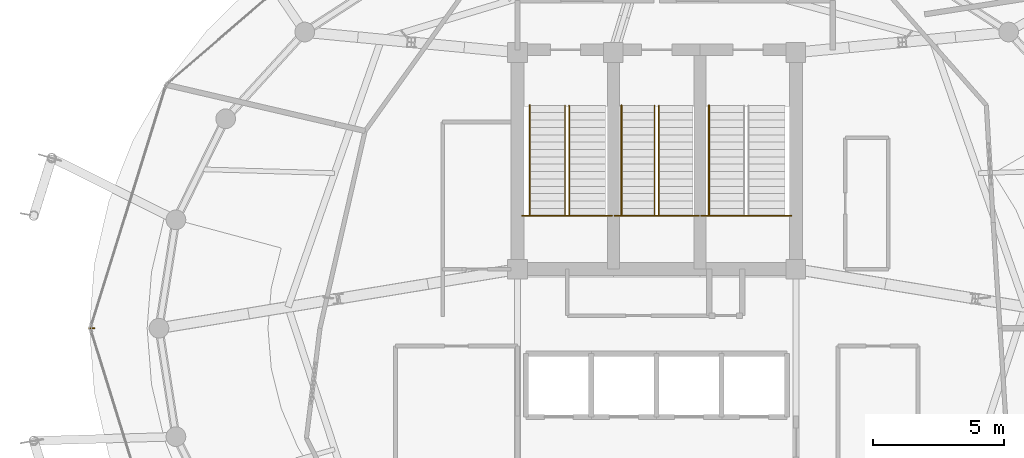
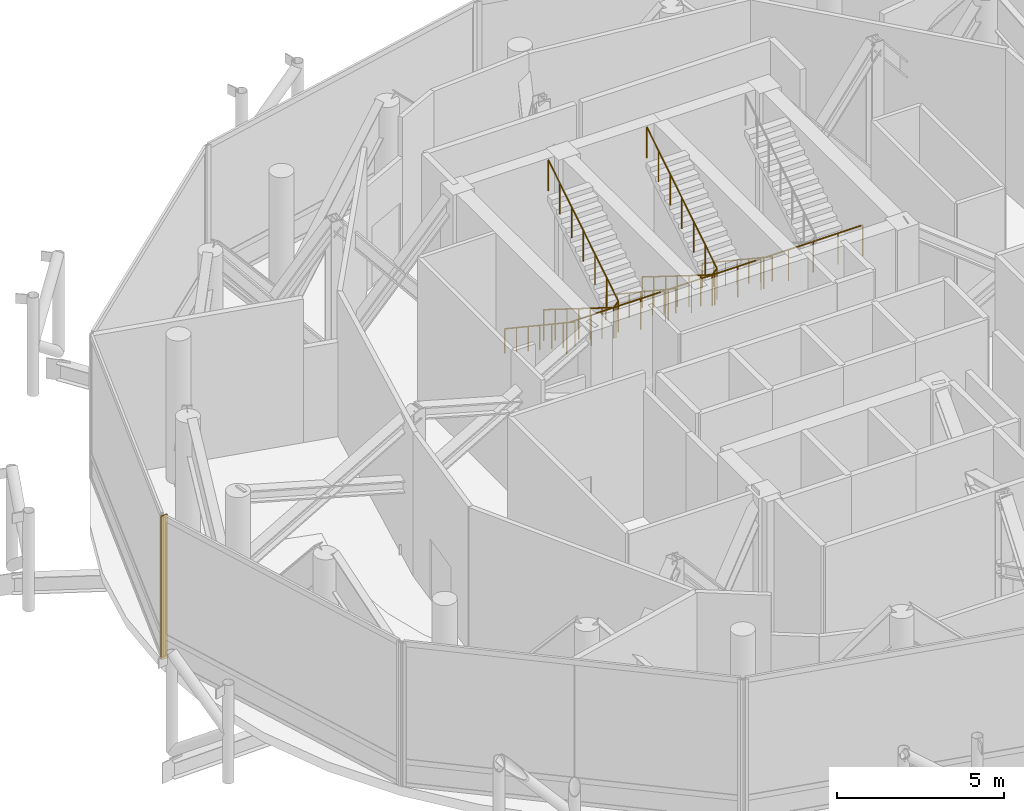
# One storey, part 25 of 26: 8 railings, 1 shading device.
"""IFC4 building model written with IfcOpenShell, lengths in metres."""

from ifc_helpers import new_model, si_unit, direction, frame, origin, origin_2d, place, context, subcontext, project, spatial, polyline, rectangle, outline, extrude, material, layer, layer_set, type_object, element, save


model = new_model("IFC4")

# Units and contexts
model_context = context("Model", 3, precision=1e-05, world=origin(), true_north=direction((0.0, 1.0)))
body_context = subcontext(model_context, "Body", "Model", "MODEL_VIEW")
ifc_project = project(units=[si_unit("LENGTHUNIT", "METRE"), si_unit("AREAUNIT", "SQUARE_METRE"), si_unit("VOLUMEUNIT", "CUBIC_METRE"), si_unit("PLANEANGLEUNIT", "RADIAN"), si_unit("MASSUNIT", "GRAM", prefix="KILO")], contexts=[model_context])

# Site, building, storey
site_placement = place(None, origin())
site = spatial("IfcSite", under=ifc_project, at=site_placement, CompositionType="ELEMENT")
building_placement = place(site_placement, origin())
building = spatial("IfcBuilding", under=site, at=building_placement, Name="Nuhasar Tower", CompositionType="ELEMENT")
storey_placement = place(building_placement, frame((0.0, 0.0, 301.199951171875)))
storey = spatial("IfcBuildingStorey", under=building, at=storey_placement, Name="L75", CompositionType="ELEMENT", Elevation=301.199951171875)

# Railings
ifc_material_1 = material(Name="Steel S355", Category="steel")
railing_type_1 = type_object("IfcRailingType", Name="RLG-STAIR-GUARD-1150", PredefinedType="GUARDRAIL", material=ifc_material_1)
railing_1_placement = place(storey_placement, frame((33.8798828125, 31.0849609375, 2.800048828125)))
element("IfcRailing", 1, at=railing_1_placement, inside=storey, type_object=railing_type_1, Name="L75 Stair ST-01 Guardrail LND", PredefinedType="GUARDRAIL", context=body_context, shape_type="SweptSolid", body=[
    extrude(outline(polyline([(0.024169921875, 0.0), (0.01708984375, 0.01708984375), (0.0, 0.024169921875), (-0.01708984375, 0.01708984375), (-0.024169921875, 0.0), (-0.01708984375, -0.01708984375), (0.0, -0.024169921875), (0.01708984375, -0.01708984375), (0.024169921875, 0.0)])), frame((0.0, 0.0, 1.1259765625), z_axis=(1.0, 0.0, 0.0), x_axis=(0.0, 1.0, 0.0)), (0.0, 0.0, 1.0), 3.420166015625),
    extrude(outline(polyline([(0.02099609375, 0.0), (0.014892578125, 0.014892578125), (0.0, 0.02099609375), (-0.014892578125, 0.014892578125), (-0.02099609375, 0.0), (-0.014892578125, -0.014892578125), (0.0, -0.02099609375), (0.014892578125, -0.014892578125), (0.02099609375, 0.0)])), origin(), (0.0, 0.0, 1.0), 1.101806640625),
    extrude(outline(polyline([(0.02099609375, 0.0), (0.014892578125, 0.014892578125), (0.0, 0.02099609375), (-0.014892578125, 0.014892578125), (-0.02099609375, 0.0), (-0.014892578125, -0.014892578125), (0.0, -0.02099609375), (0.014892578125, -0.014892578125), (0.02099609375, 0.0)])), frame((0.85498046875, 0.0, 0.0)), (0.0, 0.0, 1.0), 1.101806640625),
    extrude(outline(polyline([(0.02099609375, 0.0), (0.014892578125, 0.014892578125), (0.0, 0.02099609375), (-0.014892578125, 0.014892578125), (-0.02099609375, 0.0), (-0.014892578125, -0.014892578125), (0.0, -0.02099609375), (0.014892578125, -0.014892578125), (0.02099609375, 0.0)])), frame((1.7099609375, 0.0, 0.0)), (0.0, 0.0, 1.0), 1.101806640625),
    extrude(outline(polyline([(0.02099609375, 0.0), (0.014892578125, 0.014892578125), (0.0, 0.02099609375), (-0.014892578125, 0.014892578125), (-0.02099609375, 0.0), (-0.014892578125, -0.014892578125), (0.0, -0.02099609375), (0.014892578125, -0.014892578125), (0.02099609375, 0.0)])), frame((2.565185546875, 0.0, 0.0)), (0.0, 0.0, 1.0), 1.101806640625),
    extrude(outline(polyline([(0.02099609375, 0.0), (0.014892578125, 0.014892578125), (0.0, 0.02099609375), (-0.014892578125, 0.014892578125), (-0.02099609375, 0.0), (-0.014892578125, -0.014892578125), (0.0, -0.02099609375), (0.014892578125, -0.014892578125), (0.02099609375, 0.0)])), frame((3.420166015625, 0.0, 0.0)), (0.0, 0.0, 1.0), 1.101806640625),
])
railing_2_placement = place(storey_placement, frame((35.510009765625, 35.284912109375, 0.175048828125)))
element("IfcRailing", 2, at=railing_2_placement, inside=storey, type_object=railing_type_1, Name="L75 Stair ST-01 Guardrail SLT", PredefinedType="GUARDRAIL", context=body_context, shape_type="SweptSolid", body=[
    extrude(outline(polyline([(0.024169921875, 0.0), (0.01708984375, 0.01708984375), (0.0, 0.024169921875), (-0.01708984375, 0.01708984375), (-0.024169921875, 0.0), (-0.01708984375, -0.01708984375), (0.0, -0.024169921875), (0.01708984375, -0.01708984375), (0.024169921875, 0.0)])), frame((0.0, 0.0, 1.1259765625), z_axis=(0.0, -0.847995534698, 0.530003370869), x_axis=(1.0, 0.0, 0.0)), (0.0, 0.0, 1.0), 4.952880859375),
    extrude(outline(polyline([(0.024169921875, 0.0), (0.01708984375, 0.01708984375), (0.0, 0.024169921875), (-0.01708984375, 0.01708984375), (-0.024169921875, 0.0), (-0.01708984375, -0.01708984375), (0.0, -0.024169921875), (0.01708984375, -0.01708984375), (0.024169921875, 0.0)])), frame((0.0, -4.199951171875, 3.7509765625), z_axis=(0.674464668206, 0.0, 0.738307125349), x_axis=(0.0, 1.0, 0.0)), (0.0, 0.0, 1.0), 0.237060546875),
    extrude(outline(polyline([(0.024169921875, 0.0), (0.01708984375, 0.01708984375), (0.0, 0.024169921875), (-0.01708984375, 0.01708984375), (-0.024169921875, 0.0), (-0.01708984375, -0.01708984375), (0.0, -0.024169921875), (0.01708984375, -0.01708984375), (0.024169921875, 0.0)])), frame((0.159912109375, -4.199951171875, 3.92578125), z_axis=(0.0, 0.847995534698, 0.530003370869), x_axis=(-1.0, 0.0, 0.0)), (0.0, 0.0, 1.0), 4.952880859375),
    extrude(outline(polyline([(0.02099609375, 0.0), (0.014892578125, 0.014892578125), (0.0, 0.02099609375), (-0.014892578125, 0.014892578125), (-0.02099609375, 0.0), (-0.014892578125, -0.014892578125), (0.0, -0.02099609375), (0.014892578125, -0.014892578125), (0.02099609375, 0.0)])), origin(), (0.0, 0.0, 1.0), 1.101806640625),
    extrude(outline(polyline([(0.02099609375, 0.0), (0.014892578125, 0.014892578125), (0.0, 0.02099609375), (-0.014892578125, 0.014892578125), (-0.02099609375, 0.0), (-0.014892578125, -0.014892578125), (0.0, -0.02099609375), (0.014892578125, -0.014892578125), (0.02099609375, 0.0)])), frame((0.0, -0.699951171875, 0.4375)), (0.0, 0.0, 1.0), 1.101806640625),
    extrude(outline(polyline([(0.02099609375, 0.0), (0.014892578125, 0.014892578125), (0.0, 0.02099609375), (-0.014892578125, 0.014892578125), (-0.02099609375, 0.0), (-0.014892578125, -0.014892578125), (0.0, -0.02099609375), (0.014892578125, -0.014892578125), (0.02099609375, 0.0)])), frame((0.0, -1.39990234375, 0.875)), (0.0, 0.0, 1.0), 1.101806640625),
    extrude(outline(polyline([(0.02099609375, 0.0), (0.014892578125, 0.014892578125), (0.0, 0.02099609375), (-0.014892578125, 0.014892578125), (-0.02099609375, 0.0), (-0.014892578125, -0.014892578125), (0.0, -0.02099609375), (0.014892578125, -0.014892578125), (0.02099609375, 0.0)])), frame((0.0, -2.10009765625, 1.3125)), (0.0, 0.0, 1.0), 1.101806640625),
    extrude(outline(polyline([(0.02099609375, 0.0), (0.014892578125, 0.014892578125), (0.0, 0.02099609375), (-0.014892578125, 0.014892578125), (-0.02099609375, 0.0), (-0.014892578125, -0.014892578125), (0.0, -0.02099609375), (0.014892578125, -0.014892578125), (0.02099609375, 0.0)])), frame((0.0, -2.800048828125, 1.75)), (0.0, 0.0, 1.0), 1.101806640625),
    extrude(outline(polyline([(0.02099609375, 0.0), (0.014892578125, 0.014892578125), (0.0, 0.02099609375), (-0.014892578125, 0.014892578125), (-0.02099609375, 0.0), (-0.014892578125, -0.014892578125), (0.0, -0.02099609375), (0.014892578125, -0.014892578125), (0.02099609375, 0.0)])), frame((0.0, -3.5, 2.1875)), (0.0, 0.0, 1.0), 1.101806640625),
    extrude(outline(polyline([(0.02099609375, 0.0), (0.014892578125, 0.014892578125), (0.0, 0.02099609375), (-0.014892578125, 0.014892578125), (-0.02099609375, 0.0), (-0.014892578125, -0.014892578125), (0.0, -0.02099609375), (0.014892578125, -0.014892578125), (0.02099609375, 0.0)])), frame((0.0, -4.199951171875, 2.625)), (0.0, 0.0, 1.0), 1.101806640625),
    extrude(outline(polyline([(0.02099609375, 0.0), (0.014892578125, 0.014892578125), (0.0, 0.02099609375), (-0.014892578125, 0.014892578125), (-0.02099609375, 0.0), (-0.014892578125, -0.014892578125), (0.0, -0.02099609375), (0.014892578125, -0.014892578125), (0.02099609375, 0.0)])), frame((0.159912109375, -4.199951171875, 2.800048828125)), (0.0, 0.0, 1.0), 1.101806640625),
    extrude(outline(polyline([(0.02099609375, 0.0), (0.014892578125, 0.014892578125), (0.0, 0.02099609375), (-0.014892578125, 0.014892578125), (-0.02099609375, 0.0), (-0.014892578125, -0.014892578125), (0.0, -0.02099609375), (0.014892578125, -0.014892578125), (0.02099609375, 0.0)])), frame((0.159912109375, -3.5, 3.237548828125)), (0.0, 0.0, 1.0), 1.101806640625),
    extrude(outline(polyline([(0.02099609375, 0.0), (0.014892578125, 0.014892578125), (0.0, 0.02099609375), (-0.014892578125, 0.014892578125), (-0.02099609375, 0.0), (-0.014892578125, -0.014892578125), (0.0, -0.02099609375), (0.014892578125, -0.014892578125), (0.02099609375, 0.0)])), frame((0.159912109375, -2.800048828125, 3.675048828125)), (0.0, 0.0, 1.0), 1.101806640625),
    extrude(outline(polyline([(0.02099609375, 0.0), (0.014892578125, 0.014892578125), (0.0, 0.02099609375), (-0.014892578125, 0.014892578125), (-0.02099609375, 0.0), (-0.014892578125, -0.014892578125), (0.0, -0.02099609375), (0.014892578125, -0.014892578125), (0.02099609375, 0.0)])), frame((0.159912109375, -2.10009765625, 4.112548828125)), (0.0, 0.0, 1.0), 1.101806640625),
    extrude(outline(polyline([(0.02099609375, 0.0), (0.014892578125, 0.014892578125), (0.0, 0.02099609375), (-0.014892578125, 0.014892578125), (-0.02099609375, 0.0), (-0.014892578125, -0.014892578125), (0.0, -0.02099609375), (0.014892578125, -0.014892578125), (0.02099609375, 0.0)])), frame((0.159912109375, -1.39990234375, 4.550048828125)), (0.0, 0.0, 1.0), 1.101806640625),
    extrude(outline(polyline([(0.02099609375, 0.0), (0.014892578125, 0.014892578125), (0.0, 0.02099609375), (-0.014892578125, 0.014892578125), (-0.02099609375, 0.0), (-0.014892578125, -0.014892578125), (0.0, -0.02099609375), (0.014892578125, -0.014892578125), (0.02099609375, 0.0)])), frame((0.159912109375, -0.699951171875, 4.987548828125)), (0.0, 0.0, 1.0), 1.101806640625),
    extrude(outline(polyline([(0.02099609375, 0.0), (0.014892578125, 0.014892578125), (0.0, 0.02099609375), (-0.014892578125, 0.014892578125), (-0.02099609375, 0.0), (-0.014892578125, -0.014892578125), (0.0, -0.02099609375), (0.014892578125, -0.014892578125), (0.02099609375, 0.0)])), frame((0.159912109375, 0.0, 5.425048828125)), (0.0, 0.0, 1.0), 1.101806640625),
])
railing_3_placement = place(storey_placement, frame((37.39990234375, 31.0849609375, 2.800048828125)))
element("IfcRailing", 3, at=railing_3_placement, inside=storey, type_object=railing_type_1, Name="L75 Stair ST-03 Guardrail LND", PredefinedType="GUARDRAIL", context=body_context, shape_type="SweptSolid", body=[
    extrude(outline(polyline([(0.024169921875, 0.0), (0.01708984375, 0.01708984375), (0.0, 0.024169921875), (-0.01708984375, 0.01708984375), (-0.024169921875, 0.0), (-0.01708984375, -0.01708984375), (0.0, -0.024169921875), (0.01708984375, -0.01708984375), (0.024169921875, 0.0)])), frame((0.0, 0.0, 1.1259765625), z_axis=(1.0, 0.0, 0.0), x_axis=(0.0, 1.0, 0.0)), (0.0, 0.0, 1.0), 3.2001953125),
    extrude(outline(polyline([(0.02099609375, 0.0), (0.014892578125, 0.014892578125), (0.0, 0.02099609375), (-0.014892578125, 0.014892578125), (-0.02099609375, 0.0), (-0.014892578125, -0.014892578125), (0.0, -0.02099609375), (0.014892578125, -0.014892578125), (0.02099609375, 0.0)])), origin(), (0.0, 0.0, 1.0), 1.101806640625),
    extrude(outline(polyline([(0.02099609375, 0.0), (0.014892578125, 0.014892578125), (0.0, 0.02099609375), (-0.014892578125, 0.014892578125), (-0.02099609375, 0.0), (-0.014892578125, -0.014892578125), (0.0, -0.02099609375), (0.014892578125, -0.014892578125), (0.02099609375, 0.0)])), frame((0.800048828125, 0.0, 0.0)), (0.0, 0.0, 1.0), 1.101806640625),
    extrude(outline(polyline([(0.02099609375, 0.0), (0.014892578125, 0.014892578125), (0.0, 0.02099609375), (-0.014892578125, 0.014892578125), (-0.02099609375, 0.0), (-0.014892578125, -0.014892578125), (0.0, -0.02099609375), (0.014892578125, -0.014892578125), (0.02099609375, 0.0)])), frame((1.60009765625, 0.0, 0.0)), (0.0, 0.0, 1.0), 1.101806640625),
    extrude(outline(polyline([(0.02099609375, 0.0), (0.014892578125, 0.014892578125), (0.0, 0.02099609375), (-0.014892578125, 0.014892578125), (-0.02099609375, 0.0), (-0.014892578125, -0.014892578125), (0.0, -0.02099609375), (0.014892578125, -0.014892578125), (0.02099609375, 0.0)])), frame((2.400146484375, 0.0, 0.0)), (0.0, 0.0, 1.0), 1.101806640625),
    extrude(outline(polyline([(0.02099609375, 0.0), (0.014892578125, 0.014892578125), (0.0, 0.02099609375), (-0.014892578125, 0.014892578125), (-0.02099609375, 0.0), (-0.014892578125, -0.014892578125), (0.0, -0.02099609375), (0.014892578125, -0.014892578125), (0.02099609375, 0.0)])), frame((3.2001953125, 0.0, 0.0)), (0.0, 0.0, 1.0), 1.101806640625),
])
railing_4_placement = place(storey_placement, frame((38.919921875, 35.284912109375, 0.175048828125)))
element("IfcRailing", 4, at=railing_4_placement, inside=storey, type_object=railing_type_1, Name="L75 Stair ST-03 Guardrail SLT", PredefinedType="GUARDRAIL", context=body_context, shape_type="SweptSolid", body=[
    extrude(outline(polyline([(0.024169921875, 0.0), (0.01708984375, 0.01708984375), (0.0, 0.024169921875), (-0.01708984375, 0.01708984375), (-0.024169921875, 0.0), (-0.01708984375, -0.01708984375), (0.0, -0.024169921875), (0.01708984375, -0.01708984375), (0.024169921875, 0.0)])), frame((0.0, 0.0, 1.1259765625), z_axis=(0.0, -0.847995534698, 0.530003370869), x_axis=(1.0, 0.0, 0.0)), (0.0, 0.0, 1.0), 4.952880859375),
    extrude(outline(polyline([(0.024169921875, 0.0), (0.01708984375, 0.01708984375), (0.0, 0.024169921875), (-0.01708984375, 0.01708984375), (-0.024169921875, 0.0), (-0.01708984375, -0.01708984375), (0.0, -0.024169921875), (0.01708984375, -0.01708984375), (0.024169921875, 0.0)])), frame((0.0, -4.199951171875, 3.7509765625), z_axis=(0.675025379947, 0.0, 0.737794508266), x_axis=(0.0, 1.0, 0.0)), (0.0, 0.0, 1.0), 0.2373046875),
    extrude(outline(polyline([(0.024169921875, 0.0), (0.01708984375, 0.01708984375), (0.0, 0.024169921875), (-0.01708984375, 0.01708984375), (-0.024169921875, 0.0), (-0.01708984375, -0.01708984375), (0.0, -0.024169921875), (0.01708984375, -0.01708984375), (0.024169921875, 0.0)])), frame((0.16015625, -4.199951171875, 3.92578125), z_axis=(0.0, 0.847995534698, 0.530003370869), x_axis=(-1.0, 0.0, 0.0)), (0.0, 0.0, 1.0), 4.952880859375),
    extrude(outline(polyline([(0.02099609375, 0.0), (0.014892578125, 0.014892578125), (0.0, 0.02099609375), (-0.014892578125, 0.014892578125), (-0.02099609375, 0.0), (-0.014892578125, -0.014892578125), (0.0, -0.02099609375), (0.014892578125, -0.014892578125), (0.02099609375, 0.0)])), origin(), (0.0, 0.0, 1.0), 1.101806640625),
    extrude(outline(polyline([(0.02099609375, 0.0), (0.014892578125, 0.014892578125), (0.0, 0.02099609375), (-0.014892578125, 0.014892578125), (-0.02099609375, 0.0), (-0.014892578125, -0.014892578125), (0.0, -0.02099609375), (0.014892578125, -0.014892578125), (0.02099609375, 0.0)])), frame((0.0, -0.699951171875, 0.4375)), (0.0, 0.0, 1.0), 1.101806640625),
    extrude(outline(polyline([(0.02099609375, 0.0), (0.014892578125, 0.014892578125), (0.0, 0.02099609375), (-0.014892578125, 0.014892578125), (-0.02099609375, 0.0), (-0.014892578125, -0.014892578125), (0.0, -0.02099609375), (0.014892578125, -0.014892578125), (0.02099609375, 0.0)])), frame((0.0, -1.39990234375, 0.875)), (0.0, 0.0, 1.0), 1.101806640625),
    extrude(outline(polyline([(0.02099609375, 0.0), (0.014892578125, 0.014892578125), (0.0, 0.02099609375), (-0.014892578125, 0.014892578125), (-0.02099609375, 0.0), (-0.014892578125, -0.014892578125), (0.0, -0.02099609375), (0.014892578125, -0.014892578125), (0.02099609375, 0.0)])), frame((0.0, -2.10009765625, 1.3125)), (0.0, 0.0, 1.0), 1.101806640625),
    extrude(outline(polyline([(0.02099609375, 0.0), (0.014892578125, 0.014892578125), (0.0, 0.02099609375), (-0.014892578125, 0.014892578125), (-0.02099609375, 0.0), (-0.014892578125, -0.014892578125), (0.0, -0.02099609375), (0.014892578125, -0.014892578125), (0.02099609375, 0.0)])), frame((0.0, -2.800048828125, 1.75)), (0.0, 0.0, 1.0), 1.101806640625),
    extrude(outline(polyline([(0.02099609375, 0.0), (0.014892578125, 0.014892578125), (0.0, 0.02099609375), (-0.014892578125, 0.014892578125), (-0.02099609375, 0.0), (-0.014892578125, -0.014892578125), (0.0, -0.02099609375), (0.014892578125, -0.014892578125), (0.02099609375, 0.0)])), frame((0.0, -3.5, 2.1875)), (0.0, 0.0, 1.0), 1.101806640625),
    extrude(outline(polyline([(0.02099609375, 0.0), (0.014892578125, 0.014892578125), (0.0, 0.02099609375), (-0.014892578125, 0.014892578125), (-0.02099609375, 0.0), (-0.014892578125, -0.014892578125), (0.0, -0.02099609375), (0.014892578125, -0.014892578125), (0.02099609375, 0.0)])), frame((0.0, -4.199951171875, 2.625)), (0.0, 0.0, 1.0), 1.101806640625),
    extrude(outline(polyline([(0.02099609375, 0.0), (0.014892578125, 0.014892578125), (0.0, 0.02099609375), (-0.014892578125, 0.014892578125), (-0.02099609375, 0.0), (-0.014892578125, -0.014892578125), (0.0, -0.02099609375), (0.014892578125, -0.014892578125), (0.02099609375, 0.0)])), frame((0.16015625, -4.199951171875, 2.800048828125)), (0.0, 0.0, 1.0), 1.101806640625),
    extrude(outline(polyline([(0.02099609375, 0.0), (0.014892578125, 0.014892578125), (0.0, 0.02099609375), (-0.014892578125, 0.014892578125), (-0.02099609375, 0.0), (-0.014892578125, -0.014892578125), (0.0, -0.02099609375), (0.014892578125, -0.014892578125), (0.02099609375, 0.0)])), frame((0.16015625, -3.5, 3.237548828125)), (0.0, 0.0, 1.0), 1.101806640625),
    extrude(outline(polyline([(0.02099609375, 0.0), (0.014892578125, 0.014892578125), (0.0, 0.02099609375), (-0.014892578125, 0.014892578125), (-0.02099609375, 0.0), (-0.014892578125, -0.014892578125), (0.0, -0.02099609375), (0.014892578125, -0.014892578125), (0.02099609375, 0.0)])), frame((0.16015625, -2.800048828125, 3.675048828125)), (0.0, 0.0, 1.0), 1.101806640625),
    extrude(outline(polyline([(0.02099609375, 0.0), (0.014892578125, 0.014892578125), (0.0, 0.02099609375), (-0.014892578125, 0.014892578125), (-0.02099609375, 0.0), (-0.014892578125, -0.014892578125), (0.0, -0.02099609375), (0.014892578125, -0.014892578125), (0.02099609375, 0.0)])), frame((0.16015625, -2.10009765625, 4.112548828125)), (0.0, 0.0, 1.0), 1.101806640625),
    extrude(outline(polyline([(0.02099609375, 0.0), (0.014892578125, 0.014892578125), (0.0, 0.02099609375), (-0.014892578125, 0.014892578125), (-0.02099609375, 0.0), (-0.014892578125, -0.014892578125), (0.0, -0.02099609375), (0.014892578125, -0.014892578125), (0.02099609375, 0.0)])), frame((0.16015625, -1.39990234375, 4.550048828125)), (0.0, 0.0, 1.0), 1.101806640625),
    extrude(outline(polyline([(0.02099609375, 0.0), (0.014892578125, 0.014892578125), (0.0, 0.02099609375), (-0.014892578125, 0.014892578125), (-0.02099609375, 0.0), (-0.014892578125, -0.014892578125), (0.0, -0.02099609375), (0.014892578125, -0.014892578125), (0.02099609375, 0.0)])), frame((0.16015625, -0.699951171875, 4.987548828125)), (0.0, 0.0, 1.0), 1.101806640625),
    extrude(outline(polyline([(0.02099609375, 0.0), (0.014892578125, 0.014892578125), (0.0, 0.02099609375), (-0.014892578125, 0.014892578125), (-0.02099609375, 0.0), (-0.014892578125, -0.014892578125), (0.0, -0.02099609375), (0.014892578125, -0.014892578125), (0.02099609375, 0.0)])), frame((0.16015625, 0.0, 5.425048828125)), (0.0, 0.0, 1.0), 1.101806640625),
])
railing_5_placement = place(storey_placement, frame((40.699951171875, 31.0849609375, 2.800048828125)))
element("IfcRailing", 5, at=railing_5_placement, inside=storey, type_object=railing_type_1, Name="L75 Stair ST-02 Guardrail LND", PredefinedType="GUARDRAIL", context=body_context, shape_type="SweptSolid", body=[
    extrude(outline(polyline([(0.024169921875, 0.0), (0.01708984375, 0.01708984375), (0.0, 0.024169921875), (-0.01708984375, 0.01708984375), (-0.024169921875, 0.0), (-0.01708984375, -0.01708984375), (0.0, -0.024169921875), (0.01708984375, -0.01708984375), (0.024169921875, 0.0)])), frame((0.0, 0.0, 1.1259765625), z_axis=(1.0, 0.0, 0.0), x_axis=(0.0, 1.0, 0.0)), (0.0, 0.0, 1.0), 3.420166015625),
    extrude(outline(polyline([(0.02099609375, 0.0), (0.014892578125, 0.014892578125), (0.0, 0.02099609375), (-0.014892578125, 0.014892578125), (-0.02099609375, 0.0), (-0.014892578125, -0.014892578125), (0.0, -0.02099609375), (0.014892578125, -0.014892578125), (0.02099609375, 0.0)])), origin(), (0.0, 0.0, 1.0), 1.101806640625),
    extrude(outline(polyline([(0.02099609375, 0.0), (0.014892578125, 0.014892578125), (0.0, 0.02099609375), (-0.014892578125, 0.014892578125), (-0.02099609375, 0.0), (-0.014892578125, -0.014892578125), (0.0, -0.02099609375), (0.014892578125, -0.014892578125), (0.02099609375, 0.0)])), frame((0.85498046875, 0.0, 0.0)), (0.0, 0.0, 1.0), 1.101806640625),
    extrude(outline(polyline([(0.02099609375, 0.0), (0.014892578125, 0.014892578125), (0.0, 0.02099609375), (-0.014892578125, 0.014892578125), (-0.02099609375, 0.0), (-0.014892578125, -0.014892578125), (0.0, -0.02099609375), (0.014892578125, -0.014892578125), (0.02099609375, 0.0)])), frame((1.7099609375, 0.0, 0.0)), (0.0, 0.0, 1.0), 1.101806640625),
    extrude(outline(polyline([(0.02099609375, 0.0), (0.014892578125, 0.014892578125), (0.0, 0.02099609375), (-0.014892578125, 0.014892578125), (-0.02099609375, 0.0), (-0.014892578125, -0.014892578125), (0.0, -0.02099609375), (0.014892578125, -0.014892578125), (0.02099609375, 0.0)])), frame((2.565185546875, 0.0, 0.0)), (0.0, 0.0, 1.0), 1.101806640625),
    extrude(outline(polyline([(0.02099609375, 0.0), (0.014892578125, 0.014892578125), (0.0, 0.02099609375), (-0.014892578125, 0.014892578125), (-0.02099609375, 0.0), (-0.014892578125, -0.014892578125), (0.0, -0.02099609375), (0.014892578125, -0.014892578125), (0.02099609375, 0.0)])), frame((3.420166015625, 0.0, 0.0)), (0.0, 0.0, 1.0), 1.101806640625),
])
ifc_material_2 = material(Name="Stainless Steel 316L", Category="steel")
railing_type_2 = type_object("IfcRailingType", Name="RLG-STAIR-HAND-920", PredefinedType="HANDRAIL", material=ifc_material_2)
railing_6_placement = place(storey_placement, frame((34.169921875, 35.284912109375, 0.175048828125)))
element("IfcRailing", 6, at=railing_6_placement, inside=storey, type_object=railing_type_2, Name="L75 Stair ST-01 Handrail HND1", PredefinedType="HANDRAIL", context=body_context, shape_type="SweptSolid", body=[
    extrude(outline(polyline([(0.024169921875, 0.0), (0.01708984375, 0.01708984375), (0.0, 0.024169921875), (-0.01708984375, 0.01708984375), (-0.024169921875, 0.0), (-0.01708984375, -0.01708984375), (0.0, -0.024169921875), (0.01708984375, -0.01708984375), (0.024169921875, 0.0)])), frame((0.0, 0.0, 0.89599609375), z_axis=(0.0, -0.832042853317, 0.554711357594), x_axis=(1.0, 0.0, 0.0)), (0.0, 0.0, 1.0), 5.0478515625),
    extrude(outline(polyline([(0.02099609375, 0.0), (0.014892578125, 0.014892578125), (0.0, 0.02099609375), (-0.014892578125, 0.014892578125), (-0.02099609375, 0.0), (-0.014892578125, -0.014892578125), (0.0, -0.02099609375), (0.014892578125, -0.014892578125), (0.02099609375, 0.0)])), origin(), (0.0, 0.0, 1.0), 0.871826171875),
    extrude(outline(polyline([(0.02099609375, 0.0), (0.014892578125, 0.014892578125), (0.0, 0.02099609375), (-0.014892578125, 0.014892578125), (-0.02099609375, 0.0), (-0.014892578125, -0.014892578125), (0.0, -0.02099609375), (0.014892578125, -0.014892578125), (0.02099609375, 0.0)])), frame((0.0, -0.699951171875, 0.466796875)), (0.0, 0.0, 1.0), 0.871826171875),
    extrude(outline(polyline([(0.02099609375, 0.0), (0.014892578125, 0.014892578125), (0.0, 0.02099609375), (-0.014892578125, 0.014892578125), (-0.02099609375, 0.0), (-0.014892578125, -0.014892578125), (0.0, -0.02099609375), (0.014892578125, -0.014892578125), (0.02099609375, 0.0)])), frame((0.0, -1.39990234375, 0.933349609375)), (0.0, 0.0, 1.0), 0.871826171875),
    extrude(outline(polyline([(0.02099609375, 0.0), (0.014892578125, 0.014892578125), (0.0, 0.02099609375), (-0.014892578125, 0.014892578125), (-0.02099609375, 0.0), (-0.014892578125, -0.014892578125), (0.0, -0.02099609375), (0.014892578125, -0.014892578125), (0.02099609375, 0.0)])), frame((0.0, -2.10009765625, 1.39990234375)), (0.0, 0.0, 1.0), 0.871826171875),
    extrude(outline(polyline([(0.02099609375, 0.0), (0.014892578125, 0.014892578125), (0.0, 0.02099609375), (-0.014892578125, 0.014892578125), (-0.02099609375, 0.0), (-0.014892578125, -0.014892578125), (0.0, -0.02099609375), (0.014892578125, -0.014892578125), (0.02099609375, 0.0)])), frame((0.0, -2.800048828125, 1.86669921875)), (0.0, 0.0, 1.0), 0.871826171875),
    extrude(outline(polyline([(0.02099609375, 0.0), (0.014892578125, 0.014892578125), (0.0, 0.02099609375), (-0.014892578125, 0.014892578125), (-0.02099609375, 0.0), (-0.014892578125, -0.014892578125), (0.0, -0.02099609375), (0.014892578125, -0.014892578125), (0.02099609375, 0.0)])), frame((0.0, -3.5, 2.33349609375)), (0.0, 0.0, 1.0), 0.871826171875),
    extrude(outline(polyline([(0.02099609375, 0.0), (0.014892578125, 0.014892578125), (0.0, 0.02099609375), (-0.014892578125, 0.014892578125), (-0.02099609375, 0.0), (-0.014892578125, -0.014892578125), (0.0, -0.02099609375), (0.014892578125, -0.014892578125), (0.02099609375, 0.0)])), frame((0.0, -4.199951171875, 2.800048828125)), (0.0, 0.0, 1.0), 0.871826171875),
])
railing_7_placement = place(storey_placement, frame((37.659912109375, 35.284912109375, 0.175048828125)))
element("IfcRailing", 7, at=railing_7_placement, inside=storey, type_object=railing_type_2, Name="L75 Stair ST-03 Handrail HND1", PredefinedType="HANDRAIL", context=body_context, shape_type="SweptSolid", body=[
    extrude(outline(polyline([(0.024169921875, 0.0), (0.01708984375, 0.01708984375), (0.0, 0.024169921875), (-0.01708984375, 0.01708984375), (-0.024169921875, 0.0), (-0.01708984375, -0.01708984375), (0.0, -0.024169921875), (0.01708984375, -0.01708984375), (0.024169921875, 0.0)])), frame((0.0, 0.0, 0.89599609375), z_axis=(0.0, -0.832042853317, 0.554711357594), x_axis=(1.0, 0.0, 0.0)), (0.0, 0.0, 1.0), 5.0478515625),
    extrude(outline(polyline([(0.02099609375, 0.0), (0.014892578125, 0.014892578125), (0.0, 0.02099609375), (-0.014892578125, 0.014892578125), (-0.02099609375, 0.0), (-0.014892578125, -0.014892578125), (0.0, -0.02099609375), (0.014892578125, -0.014892578125), (0.02099609375, 0.0)])), origin(), (0.0, 0.0, 1.0), 0.871826171875),
    extrude(outline(polyline([(0.02099609375, 0.0), (0.014892578125, 0.014892578125), (0.0, 0.02099609375), (-0.014892578125, 0.014892578125), (-0.02099609375, 0.0), (-0.014892578125, -0.014892578125), (0.0, -0.02099609375), (0.014892578125, -0.014892578125), (0.02099609375, 0.0)])), frame((0.0, -0.699951171875, 0.466796875)), (0.0, 0.0, 1.0), 0.871826171875),
    extrude(outline(polyline([(0.02099609375, 0.0), (0.014892578125, 0.014892578125), (0.0, 0.02099609375), (-0.014892578125, 0.014892578125), (-0.02099609375, 0.0), (-0.014892578125, -0.014892578125), (0.0, -0.02099609375), (0.014892578125, -0.014892578125), (0.02099609375, 0.0)])), frame((0.0, -1.39990234375, 0.933349609375)), (0.0, 0.0, 1.0), 0.871826171875),
    extrude(outline(polyline([(0.02099609375, 0.0), (0.014892578125, 0.014892578125), (0.0, 0.02099609375), (-0.014892578125, 0.014892578125), (-0.02099609375, 0.0), (-0.014892578125, -0.014892578125), (0.0, -0.02099609375), (0.014892578125, -0.014892578125), (0.02099609375, 0.0)])), frame((0.0, -2.10009765625, 1.39990234375)), (0.0, 0.0, 1.0), 0.871826171875),
    extrude(outline(polyline([(0.02099609375, 0.0), (0.014892578125, 0.014892578125), (0.0, 0.02099609375), (-0.014892578125, 0.014892578125), (-0.02099609375, 0.0), (-0.014892578125, -0.014892578125), (0.0, -0.02099609375), (0.014892578125, -0.014892578125), (0.02099609375, 0.0)])), frame((0.0, -2.800048828125, 1.86669921875)), (0.0, 0.0, 1.0), 0.871826171875),
    extrude(outline(polyline([(0.02099609375, 0.0), (0.014892578125, 0.014892578125), (0.0, 0.02099609375), (-0.014892578125, 0.014892578125), (-0.02099609375, 0.0), (-0.014892578125, -0.014892578125), (0.0, -0.02099609375), (0.014892578125, -0.014892578125), (0.02099609375, 0.0)])), frame((0.0, -3.5, 2.33349609375)), (0.0, 0.0, 1.0), 0.871826171875),
    extrude(outline(polyline([(0.02099609375, 0.0), (0.014892578125, 0.014892578125), (0.0, 0.02099609375), (-0.014892578125, 0.014892578125), (-0.02099609375, 0.0), (-0.014892578125, -0.014892578125), (0.0, -0.02099609375), (0.014892578125, -0.014892578125), (0.02099609375, 0.0)])), frame((0.0, -4.199951171875, 2.800048828125)), (0.0, 0.0, 1.0), 0.871826171875),
])
railing_8_placement = place(storey_placement, frame((40.989990234375, 35.284912109375, 0.175048828125)))
element("IfcRailing", 8, at=railing_8_placement, inside=storey, type_object=railing_type_2, Name="L75 Stair ST-02 Handrail HND1", PredefinedType="HANDRAIL", context=body_context, shape_type="SweptSolid", body=[
    extrude(outline(polyline([(0.024169921875, 0.0), (0.01708984375, 0.01708984375), (0.0, 0.024169921875), (-0.01708984375, 0.01708984375), (-0.024169921875, 0.0), (-0.01708984375, -0.01708984375), (0.0, -0.024169921875), (0.01708984375, -0.01708984375), (0.024169921875, 0.0)])), frame((0.0, 0.0, 0.89599609375), z_axis=(0.0, -0.832042853317, 0.554711357594), x_axis=(1.0, 0.0, 0.0)), (0.0, 0.0, 1.0), 5.0478515625),
    extrude(outline(polyline([(0.02099609375, 0.0), (0.014892578125, 0.014892578125), (0.0, 0.02099609375), (-0.014892578125, 0.014892578125), (-0.02099609375, 0.0), (-0.014892578125, -0.014892578125), (0.0, -0.02099609375), (0.014892578125, -0.014892578125), (0.02099609375, 0.0)])), origin(), (0.0, 0.0, 1.0), 0.871826171875),
    extrude(outline(polyline([(0.02099609375, 0.0), (0.014892578125, 0.014892578125), (0.0, 0.02099609375), (-0.014892578125, 0.014892578125), (-0.02099609375, 0.0), (-0.014892578125, -0.014892578125), (0.0, -0.02099609375), (0.014892578125, -0.014892578125), (0.02099609375, 0.0)])), frame((0.0, -0.699951171875, 0.466796875)), (0.0, 0.0, 1.0), 0.871826171875),
    extrude(outline(polyline([(0.02099609375, 0.0), (0.014892578125, 0.014892578125), (0.0, 0.02099609375), (-0.014892578125, 0.014892578125), (-0.02099609375, 0.0), (-0.014892578125, -0.014892578125), (0.0, -0.02099609375), (0.014892578125, -0.014892578125), (0.02099609375, 0.0)])), frame((0.0, -1.39990234375, 0.933349609375)), (0.0, 0.0, 1.0), 0.871826171875),
    extrude(outline(polyline([(0.02099609375, 0.0), (0.014892578125, 0.014892578125), (0.0, 0.02099609375), (-0.014892578125, 0.014892578125), (-0.02099609375, 0.0), (-0.014892578125, -0.014892578125), (0.0, -0.02099609375), (0.014892578125, -0.014892578125), (0.02099609375, 0.0)])), frame((0.0, -2.10009765625, 1.39990234375)), (0.0, 0.0, 1.0), 0.871826171875),
    extrude(outline(polyline([(0.02099609375, 0.0), (0.014892578125, 0.014892578125), (0.0, 0.02099609375), (-0.014892578125, 0.014892578125), (-0.02099609375, 0.0), (-0.014892578125, -0.014892578125), (0.0, -0.02099609375), (0.014892578125, -0.014892578125), (0.02099609375, 0.0)])), frame((0.0, -2.800048828125, 1.86669921875)), (0.0, 0.0, 1.0), 0.871826171875),
    extrude(outline(polyline([(0.02099609375, 0.0), (0.014892578125, 0.014892578125), (0.0, 0.02099609375), (-0.014892578125, 0.014892578125), (-0.02099609375, 0.0), (-0.014892578125, -0.014892578125), (0.0, -0.02099609375), (0.014892578125, -0.014892578125), (0.02099609375, 0.0)])), frame((0.0, -3.5, 2.33349609375)), (0.0, 0.0, 1.0), 0.871826171875),
    extrude(outline(polyline([(0.02099609375, 0.0), (0.014892578125, 0.014892578125), (0.0, 0.02099609375), (-0.014892578125, 0.014892578125), (-0.02099609375, 0.0), (-0.014892578125, -0.014892578125), (0.0, -0.02099609375), (0.014892578125, -0.014892578125), (0.02099609375, 0.0)])), frame((0.0, -4.199951171875, 2.800048828125)), (0.0, 0.0, 1.0), 0.871826171875),
])

# Shading device
ifc_material_3 = material(Name="Aluminium 6063-T6", Category="aluminium")
ifc_layer = layer(ifc_material_3, 0.0400390625)
ifc_layer_set = layer_set([ifc_layer], Name="Aluminium 6063-T6")
shading_device_type = type_object("IfcShadingDeviceType", Name="SHD-LVR-220", PredefinedType="SHUTTER", material=ifc_layer_set)
shading_device_placement = place(storey_placement, frame((17.489990234375, 26.800048828125, 0.0), z_axis=(0.0, 0.0, 1.0), x_axis=(-1.0, 0.0, 0.0)))
element("IfcShadingDevice", 9, at=shading_device_placement, inside=storey, type_object=shading_device_type, Name="L75 Plant Intake Louvre 02", PredefinedType="SHUTTER", context=body_context, shape_type="SweptSolid", body=[
    extrude(rectangle(XDim=0.219970703125, YDim=0.0400390625, at=origin_2d()), origin(), (0.0, 0.0, 1.0), 5.25),
])

save(model, "model.ifc")
